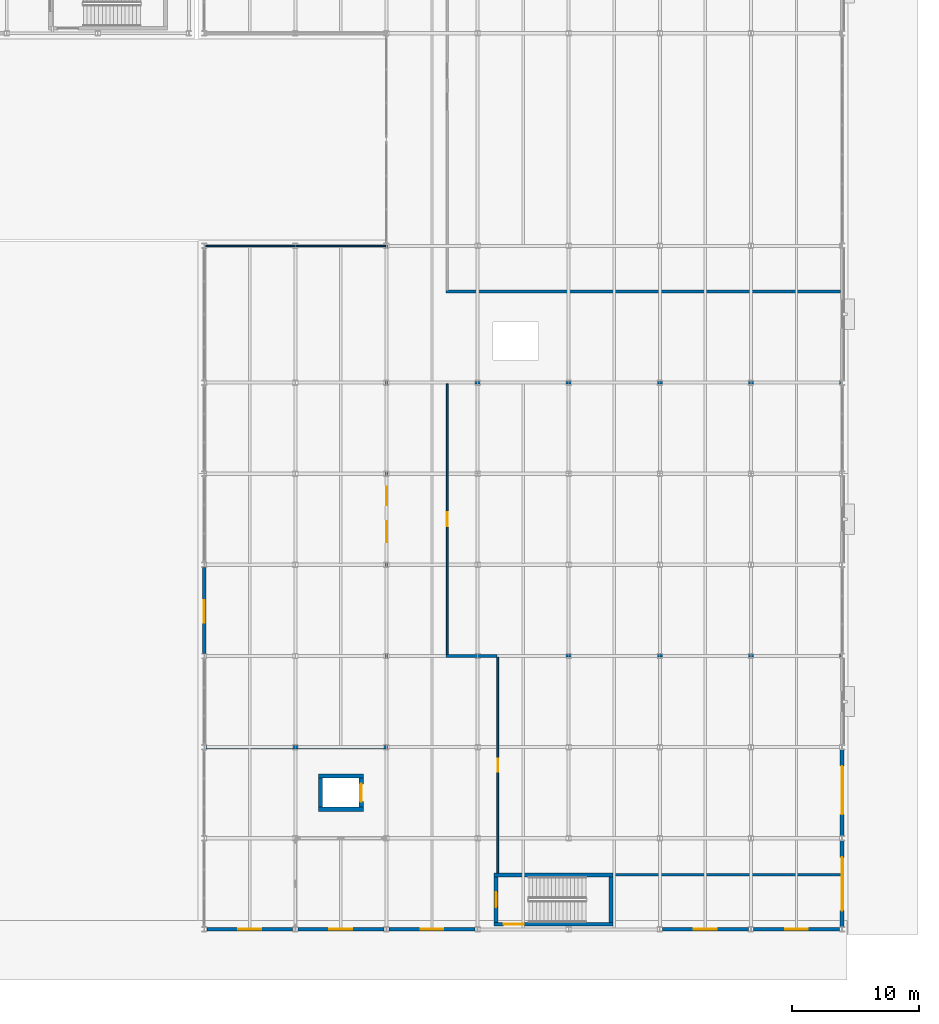
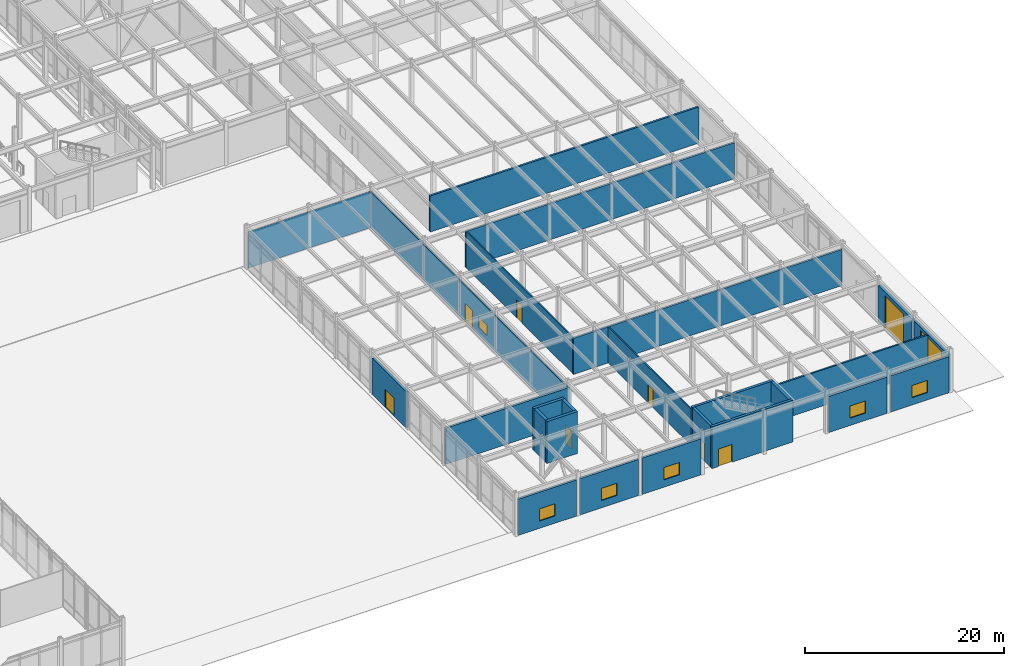
# One storey, part 76 of 104: 26 walls, 9 doors, 6 windows, 15 openings.
"""IFC4 building model written with IfcOpenShell, lengths in metres."""

from ifc_helpers import new_model, si_unit, direction, frame, frame_2d, origin, place, context, subcontext, project, spatial, rectangle, extrude, material, layer, layer_set, type_object, element, fill, save


model = new_model("IFC4")

# Units and contexts
model_context = context("Model", 3, precision=1e-05, world=origin(), true_north=direction((0.0, 1.0)))
body_context = subcontext(model_context, "Body", "Model", "MODEL_VIEW")
ifc_project = project(units=[si_unit("LENGTHUNIT", "METRE"), si_unit("AREAUNIT", "SQUARE_METRE"), si_unit("VOLUMEUNIT", "CUBIC_METRE"), si_unit("PLANEANGLEUNIT", "RADIAN"), si_unit("MASSUNIT", "GRAM", prefix="KILO")], contexts=[model_context])

# Site, building, storey
site_placement = place(None, origin())
site = spatial("IfcSite", under=ifc_project, at=site_placement, CompositionType="ELEMENT")
building_placement = place(site_placement, origin())
building = spatial("IfcBuilding", under=site, at=building_placement, Name="Vaelcorin Mobility Hub", CompositionType="ELEMENT")
storey_placement = place(building_placement, origin())
storey = spatial("IfcBuildingStorey", under=building, at=storey_placement, Name="L00", CompositionType="ELEMENT", Elevation=0.0)

# Wall, opening, door
ifc_material_1 = material(Name="Reinforced concrete f'c 45 MPa", Category="concrete")
ifc_layer_1 = layer(ifc_material_1, 0.300048828125)
ifc_layer_set_1 = layer_set([ifc_layer_1], Name="Reinforced concrete f'c 45 MPa")
wall_type_1 = type_object("IfcWallType", Name="WL-CORE-300", PredefinedType="SOLIDWALL", material=ifc_layer_set_1)
wall_1_placement = place(storey_placement, frame((185.89990234375, 6.39990234375, 0.0), z_axis=(0.0, 0.0, 1.0), x_axis=(-1.0, 0.0, 0.0)))
wall_1 = element("IfcWall", 1, at=wall_1_placement, inside=storey, type_object=wall_type_1, Name="ST5 Fire Core Wall L00 South", PredefinedType="SOLIDWALL", context=body_context, shape_type="SweptSolid", body=[
    extrude(rectangle(XDim=9.39990234375, YDim=0.300048828125, at=frame_2d((4.699951171875, 0.0))), origin(), (0.0, 0.0, 1.0), 5.139892578125),
])
opening_1_placement = place(wall_1_placement, frame((7.050048828125, 0.0, 0.0)))
opening_1 = element("IfcOpeningElement", 2, at=opening_1_placement, cuts=wall_1, Name="Opening SD03", PredefinedType="OPENING", context=body_context, shape_type="SweptSolid", body=[
    extrude(rectangle(XDim=1.60009765625, YDim=2.14990234375, at=frame_2d((0.800048828125, 1.074951171875))), frame((0.0, 0.159912109375, 0.0), z_axis=(0.0, -1.0, 0.0), x_axis=(1.0, 0.0, 0.0)), (0.0, 0.0, 1.0), 0.320068359375),
])
ifc_material_2 = material(Name="Hollow-metal insulated steel fire door", Category="steel")
door_type_1 = type_object("IfcDoorType", Name="DR-STAIR-EXIT", OperationType="NOTDEFINED", PredefinedType="DOOR", material=ifc_material_2)
door_1_placement = place(opening_1_placement, origin())
door_1 = element("IfcDoor", 3, at=door_1_placement, inside=storey, type_object=door_type_1, Name="ST5 Final Exit Discharge Door L00", OperationType="SINGLE_SWING_RIGHT", OverallHeight=2.14990234375, OverallWidth=1.60009765625, PredefinedType="DOOR", context=body_context, shape_type="SweptSolid", body=[
    extrude(rectangle(XDim=1.60009765625, YDim=2.14990234375, at=frame_2d((0.800048828125, 1.074951171875))), frame((0.0, 0.02490234375, 0.0), z_axis=(0.0, -1.0, 0.0), x_axis=(1.0, 0.0, 0.0)), (0.0, 0.0, 1.0), 0.050048828125),
])
fill(opening_1, door_1)

# Wall
wall_2_placement = place(storey_placement, frame((176.5, 10.300048828125, 0.0), z_axis=(0.0, 0.0, 1.0), x_axis=(1.0, 0.0, 0.0)))
element("IfcWall", 4, at=wall_2_placement, inside=storey, type_object=wall_type_1, Name="ST5 Fire Core Wall L00 North", PredefinedType="SOLIDWALL", context=body_context, shape_type="SweptSolid", body=[
    extrude(rectangle(XDim=9.39990234375, YDim=0.300048828125, at=frame_2d((4.699951171875, 0.0))), origin(), (0.0, 0.0, 1.0), 5.139892578125),
])

# Wall, opening, door
wall_3_placement = place(storey_placement, frame((176.64990234375, 6.550048828125, 0.0), z_axis=(0.0, 0.0, 1.0), x_axis=(0.0, 1.0, 0.0)))
wall_3 = element("IfcWall", 5, at=wall_3_placement, inside=storey, type_object=wall_type_1, Name="ST5 Fire Core Wall L00 West", PredefinedType="SOLIDWALL", context=body_context, shape_type="SweptSolid", body=[
    extrude(rectangle(XDim=3.599853515625, YDim=0.300048828125, at=frame_2d((1.7998046875, 0.0))), origin(), (0.0, 0.0, 1.0), 5.139892578125),
])
opening_2_placement = place(wall_3_placement, frame((1.199951171875, 0.0, 0.0)))
opening_2 = element("IfcOpeningElement", 6, at=opening_2_placement, cuts=wall_3, Name="Opening SD01", PredefinedType="OPENING", context=body_context, shape_type="SweptSolid", body=[
    extrude(rectangle(XDim=1.199951171875, YDim=2.199951171875, at=frame_2d((0.60009765625, 1.10009765625))), frame((0.0, 0.159912109375, 0.0), z_axis=(0.0, -1.0, 0.0), x_axis=(1.0, 0.0, 0.0)), (0.0, 0.0, 1.0), 0.320068359375),
])
door_type_2 = type_object("IfcDoorType", Name="DR-STAIR-90", OperationType="NOTDEFINED", PredefinedType="DOOR", material=ifc_material_2)
door_2_placement = place(opening_2_placement, origin())
door_2 = element("IfcDoor", 7, at=door_2_placement, inside=storey, type_object=door_type_2, Name="ST5 Protected Stair Door L00", OperationType="SINGLE_SWING_LEFT", OverallHeight=2.199951171875, OverallWidth=1.199951171875, PredefinedType="DOOR", context=body_context, shape_type="SweptSolid", body=[
    extrude(rectangle(XDim=1.199951171875, YDim=2.199951171875, at=frame_2d((0.60009765625, 1.10009765625))), frame((0.0, 0.02490234375, 0.0), z_axis=(0.0, -1.0, 0.0), x_axis=(1.0, 0.0, 0.0)), (0.0, 0.0, 1.0), 0.050048828125),
])
fill(opening_2, door_2)

# Wall
wall_4_placement = place(storey_placement, frame((185.75, 10.14990234375, 0.0), z_axis=(0.0, 0.0, 1.0), x_axis=(0.0, -1.0, 0.0)))
element("IfcWall", 8, at=wall_4_placement, inside=storey, type_object=wall_type_1, Name="ST5 Fire Core Wall L00 East", PredefinedType="SOLIDWALL", context=body_context, shape_type="SweptSolid", body=[
    extrude(rectangle(XDim=3.599853515625, YDim=0.300048828125, at=frame_2d((1.7998046875, 0.0))), origin(), (0.0, 0.0, 1.0), 5.139892578125),
])

# Wall, opening, door
ifc_material_3 = material(Name="Insulated exterior precast concrete C40/50", Category="concrete")
ifc_layer_2 = layer(ifc_material_3, 0.260009765625)
ifc_layer_set_2 = layer_set([ifc_layer_2], Name="Insulated exterior precast concrete C40/50")
wall_type_2 = type_object("IfcWallType", Name="WL-EXT-260", PredefinedType="STANDARD", material=ifc_layer_set_2)
wall_5_placement = place(storey_placement, frame((153.60009765625, 27.7919921875, 0.0), z_axis=(0.0, 0.0, 1.0), x_axis=(0.0, 1.0, 0.0)))
wall_5 = element("IfcWall", 9, at=wall_5_placement, inside=storey, type_object=wall_type_2, Name="L00 Exterior Wall V5-EW-L00-WS-ENTRY", PredefinedType="STANDARD", context=body_context, shape_type="SweptSolid", body=[
    extrude(rectangle(XDim=6.81591796875, YDim=0.260009765625, at=frame_2d((3.407958984375, 0.0))), origin(), (0.0, 0.0, 1.0), 4.44189453125),
])
opening_3_placement = place(wall_5_placement, frame((2.41796875, 0.0, 0.0)))
opening_3 = element("IfcOpeningElement", 10, at=opening_3_placement, cuts=wall_5, Name="Opening ED02", PredefinedType="OPENING", context=body_context, shape_type="SweptSolid", body=[
    extrude(rectangle(XDim=1.800048828125, YDim=2.199951171875, at=frame_2d((0.89990234375, 1.10009765625))), frame((0.0, 0.139892578125, 0.0), z_axis=(0.0, -1.0, 0.0), x_axis=(1.0, 0.0, 0.0)), (0.0, 0.0, 1.0), 0.280029296875),
])
ifc_material_4 = material(Name="Anodised aluminium 6063-T6", Category="aluminium")
door_type_3 = type_object("IfcDoorType", Name="DR-EXT-1800X2200", OperationType="NOTDEFINED", PredefinedType="DOOR", material=ifc_material_4)
door_3_placement = place(opening_3_placement, origin())
door_3 = element("IfcDoor", 11, at=door_3_placement, inside=storey, type_object=door_type_3, Name="L00 Exterior Door DR-V5-SHAR-ENT", OperationType="SINGLE_SWING_RIGHT", OverallHeight=2.199951171875, OverallWidth=1.800048828125, PredefinedType="DOOR", context=body_context, shape_type="SweptSolid", body=[
    extrude(rectangle(XDim=1.800048828125, YDim=2.199951171875, at=frame_2d((0.89990234375, 1.10009765625))), frame((0.0, 0.02490234375, 0.0), z_axis=(0.0, -1.0, 0.0), x_axis=(1.0, 0.0, 0.0)), (0.0, 0.0, 1.0), 0.050048828125),
])
fill(opening_3, door_3)

# Wall, opening, window
wall_6_placement = place(storey_placement, frame((160.594970703125, 6.0, 0.0), z_axis=(0.0, 0.0, 1.0), x_axis=(-1.0, 0.0, 0.0)))
wall_6 = element("IfcWall", 12, at=wall_6_placement, inside=storey, type_object=wall_type_2, Name="L00 Exterior Wall V5-EW-L00-S-01", PredefinedType="STANDARD", context=body_context, shape_type="SweptSolid", body=[
    extrude(rectangle(XDim=6.7900390625, YDim=0.260009765625, at=frame_2d((3.39501953125, 0.0))), origin(), (0.0, 0.0, 1.0), 4.44189453125),
])
opening_4_placement = place(wall_6_placement, frame((2.4951171875, 0.0, 0.89990234375)))
opening_4 = element("IfcOpeningElement", 13, at=opening_4_placement, cuts=wall_6, Name="Opening WN12", PredefinedType="OPENING", context=body_context, shape_type="SweptSolid", body=[
    extrude(rectangle(XDim=1.800048828125, YDim=1.5, at=frame_2d((0.89990234375, 0.75))), frame((0.0, 0.139892578125, 0.0), z_axis=(0.0, -1.0, 0.0), x_axis=(1.0, 0.0, 0.0)), (0.0, 0.0, 1.0), 0.280029296875),
])
ifc_material_5 = material(Name="Double-glazed low-E window unit", Category="glass")
window_type_1 = type_object("IfcWindowType", Name="WIN-1800X1500", PartitioningType="SINGLE_PANEL", PredefinedType="WINDOW", material=ifc_material_5)
window_1_placement = place(opening_4_placement, origin())
window_1 = element("IfcWindow", 14, at=window_1_placement, inside=storey, type_object=window_type_1, Name="L00 Window V5-EW-L00-S-01-WN", OverallHeight=1.5, OverallWidth=1.800048828125, PartitioningType="SINGLE_PANEL", PredefinedType="WINDOW", context=body_context, shape_type="SweptSolid", body=[
    extrude(rectangle(XDim=1.800048828125, YDim=1.5, at=frame_2d((0.89990234375, 0.75))), frame((0.0, 0.030029296875, 0.0), z_axis=(0.0, -1.0, 0.0), x_axis=(1.0, 0.0, 0.0)), (0.0, 0.0, 1.0), 0.06005859375),
])
fill(opening_4, window_1)

wall_7_placement = place(storey_placement, frame((167.794921875, 6.0, 0.0), z_axis=(0.0, 0.0, 1.0), x_axis=(-1.0, 0.0, 0.0)))
wall_7 = element("IfcWall", 15, at=wall_7_placement, inside=storey, type_object=wall_type_2, Name="L00 Exterior Wall V5-EW-L00-S-02", PredefinedType="STANDARD", context=body_context, shape_type="SweptSolid", body=[
    extrude(rectangle(XDim=6.7900390625, YDim=0.260009765625, at=frame_2d((3.39501953125, 0.0))), origin(), (0.0, 0.0, 1.0), 4.44189453125),
])
opening_5_placement = place(wall_7_placement, frame((2.4951171875, 0.0, 0.89990234375)))
opening_5 = element("IfcOpeningElement", 16, at=opening_5_placement, cuts=wall_7, Name="Opening WN12", PredefinedType="OPENING", context=body_context, shape_type="SweptSolid", body=[
    extrude(rectangle(XDim=1.800048828125, YDim=1.5, at=frame_2d((0.89990234375, 0.75))), frame((0.0, 0.139892578125, 0.0), z_axis=(0.0, -1.0, 0.0), x_axis=(1.0, 0.0, 0.0)), (0.0, 0.0, 1.0), 0.280029296875),
])
window_2_placement = place(opening_5_placement, origin())
window_2 = element("IfcWindow", 17, at=window_2_placement, inside=storey, type_object=window_type_1, Name="L00 Window V5-EW-L00-S-02-WN", OverallHeight=1.5, OverallWidth=1.800048828125, PartitioningType="SINGLE_PANEL", PredefinedType="WINDOW", context=body_context, shape_type="SweptSolid", body=[
    extrude(rectangle(XDim=1.800048828125, YDim=1.5, at=frame_2d((0.89990234375, 0.75))), frame((0.0, 0.030029296875, 0.0), z_axis=(0.0, -1.0, 0.0), x_axis=(1.0, 0.0, 0.0)), (0.0, 0.0, 1.0), 0.06005859375),
])
fill(opening_5, window_2)

wall_8_placement = place(storey_placement, frame((174.9951171875, 6.0, 0.0), z_axis=(0.0, 0.0, 1.0), x_axis=(-1.0, 0.0, 0.0)))
wall_8 = element("IfcWall", 18, at=wall_8_placement, inside=storey, type_object=wall_type_2, Name="L00 Exterior Wall V5-EW-L00-S-03", PredefinedType="STANDARD", context=body_context, shape_type="SweptSolid", body=[
    extrude(rectangle(XDim=6.7900390625, YDim=0.260009765625, at=frame_2d((3.39501953125, 0.0))), origin(), (0.0, 0.0, 1.0), 4.44189453125),
])
opening_6_placement = place(wall_8_placement, frame((2.4951171875, 0.0, 0.89990234375)))
opening_6 = element("IfcOpeningElement", 19, at=opening_6_placement, cuts=wall_8, Name="Opening WN12", PredefinedType="OPENING", context=body_context, shape_type="SweptSolid", body=[
    extrude(rectangle(XDim=1.800048828125, YDim=1.5, at=frame_2d((0.89990234375, 0.75))), frame((0.0, 0.139892578125, 0.0), z_axis=(0.0, -1.0, 0.0), x_axis=(1.0, 0.0, 0.0)), (0.0, 0.0, 1.0), 0.280029296875),
])
window_3_placement = place(opening_6_placement, origin())
window_3 = element("IfcWindow", 20, at=window_3_placement, inside=storey, type_object=window_type_1, Name="L00 Window V5-EW-L00-S-03-WN", OverallHeight=1.5, OverallWidth=1.800048828125, PartitioningType="SINGLE_PANEL", PredefinedType="WINDOW", context=body_context, shape_type="SweptSolid", body=[
    extrude(rectangle(XDim=1.800048828125, YDim=1.5, at=frame_2d((0.89990234375, 0.75))), frame((0.0, 0.030029296875, 0.0), z_axis=(0.0, -1.0, 0.0), x_axis=(1.0, 0.0, 0.0)), (0.0, 0.0, 1.0), 0.06005859375),
])
fill(opening_6, window_3)

wall_9_placement = place(storey_placement, frame((196.594970703125, 6.0, 0.0), z_axis=(0.0, 0.0, 1.0), x_axis=(-1.0, 0.0, 0.0)))
wall_9 = element("IfcWall", 21, at=wall_9_placement, inside=storey, type_object=wall_type_2, Name="L00 Exterior Wall V5-EW-L00-S-06", PredefinedType="STANDARD", context=body_context, shape_type="SweptSolid", body=[
    extrude(rectangle(XDim=6.7900390625, YDim=0.260009765625, at=frame_2d((3.39501953125, 0.0))), origin(), (0.0, 0.0, 1.0), 4.44189453125),
])
opening_7_placement = place(wall_9_placement, frame((2.4951171875, 0.0, 0.89990234375)))
opening_7 = element("IfcOpeningElement", 22, at=opening_7_placement, cuts=wall_9, Name="Opening WN12", PredefinedType="OPENING", context=body_context, shape_type="SweptSolid", body=[
    extrude(rectangle(XDim=1.800048828125, YDim=1.5, at=frame_2d((0.89990234375, 0.75))), frame((0.0, 0.139892578125, 0.0), z_axis=(0.0, -1.0, 0.0), x_axis=(1.0, 0.0, 0.0)), (0.0, 0.0, 1.0), 0.280029296875),
])
window_4_placement = place(opening_7_placement, origin())
window_4 = element("IfcWindow", 23, at=window_4_placement, inside=storey, type_object=window_type_1, Name="L00 Window V5-EW-L00-S-06-WN", OverallHeight=1.5, OverallWidth=1.800048828125, PartitioningType="SINGLE_PANEL", PredefinedType="WINDOW", context=body_context, shape_type="SweptSolid", body=[
    extrude(rectangle(XDim=1.800048828125, YDim=1.5, at=frame_2d((0.89990234375, 0.75))), frame((0.0, 0.030029296875, 0.0), z_axis=(0.0, -1.0, 0.0), x_axis=(1.0, 0.0, 0.0)), (0.0, 0.0, 1.0), 0.06005859375),
])
fill(opening_7, window_4)

wall_10_placement = place(storey_placement, frame((203.794921875, 6.0, 0.0), z_axis=(0.0, 0.0, 1.0), x_axis=(-1.0, 0.0, 0.0)))
wall_10 = element("IfcWall", 24, at=wall_10_placement, inside=storey, type_object=wall_type_2, Name="L00 Exterior Wall V5-EW-L00-S-07", PredefinedType="STANDARD", context=body_context, shape_type="SweptSolid", body=[
    extrude(rectangle(XDim=6.7900390625, YDim=0.260009765625, at=frame_2d((3.39501953125, 0.0))), origin(), (0.0, 0.0, 1.0), 4.44189453125),
])
opening_8_placement = place(wall_10_placement, frame((2.4951171875, 0.0, 0.89990234375)))
opening_8 = element("IfcOpeningElement", 25, at=opening_8_placement, cuts=wall_10, Name="Opening WN12", PredefinedType="OPENING", context=body_context, shape_type="SweptSolid", body=[
    extrude(rectangle(XDim=1.800048828125, YDim=1.5, at=frame_2d((0.89990234375, 0.75))), frame((0.0, 0.139892578125, 0.0), z_axis=(0.0, -1.0, 0.0), x_axis=(1.0, 0.0, 0.0)), (0.0, 0.0, 1.0), 0.280029296875),
])
window_5_placement = place(opening_8_placement, origin())
window_5 = element("IfcWindow", 26, at=window_5_placement, inside=storey, type_object=window_type_1, Name="L00 Window V5-EW-L00-S-07-WN", OverallHeight=1.5, OverallWidth=1.800048828125, PartitioningType="SINGLE_PANEL", PredefinedType="WINDOW", context=body_context, shape_type="SweptSolid", body=[
    extrude(rectangle(XDim=1.800048828125, YDim=1.5, at=frame_2d((0.89990234375, 0.75))), frame((0.0, 0.030029296875, 0.0), z_axis=(0.0, -1.0, 0.0), x_axis=(1.0, 0.0, 0.0)), (0.0, 0.0, 1.0), 0.06005859375),
])
fill(opening_8, window_5)

# Wall, opening, door
ifc_layer_3 = layer(ifc_material_3, 0.300048828125)
ifc_layer_set_3 = layer_set([ifc_layer_3], Name="Insulated exterior precast concrete C40/50")
wall_type_3 = type_object("IfcWallType", Name="WL-EXT-300", PredefinedType="STANDARD", material=ifc_layer_set_3)
wall_11_placement = place(storey_placement, frame((204.0, 13.008056640625, 0.0), z_axis=(0.0, 0.0, 1.0), x_axis=(0.0, -1.0, 0.0)))
wall_11 = element("IfcWall", 27, at=wall_11_placement, inside=storey, type_object=wall_type_3, Name="L00 Exterior Wall V5-EW-DOCK-1", PredefinedType="STANDARD", context=body_context, shape_type="SweptSolid", body=[
    extrude(rectangle(XDim=6.816162109375, YDim=0.300048828125, at=frame_2d((3.408203125, 0.0))), origin(), (0.0, 0.0, 1.0), 4.44189453125),
])
opening_9_placement = place(wall_11_placement, frame((1.318115234375, 0.0, 0.0)))
opening_9 = element("IfcOpeningElement", 28, at=opening_9_placement, cuts=wall_11, Name="Opening DG1", PredefinedType="OPENING", context=body_context, shape_type="SweptSolid", body=[
    extrude(rectangle(XDim=4.199951171875, YDim=4.10009765625, at=frame_2d((2.10009765625, 2.050048828125))), frame((0.0, 0.159912109375, 0.0), z_axis=(0.0, -1.0, 0.0), x_axis=(1.0, 0.0, 0.0)), (0.0, 0.0, 1.0), 0.320068359375),
])
door_type_4 = type_object("IfcDoorType", Name="DR-GATE-DOCK1", OperationType="NOTDEFINED", PredefinedType="GATE", material=ifc_material_4)
door_4_placement = place(opening_9_placement, origin())
door_4 = element("IfcDoor", 29, at=door_4_placement, inside=storey, type_object=door_type_4, Name="L00 Exterior Door DR-DOCK-1", OperationType="ROLLINGUP", OverallHeight=4.10009765625, OverallWidth=4.199951171875, PredefinedType="GATE", context=body_context, shape_type="SweptSolid", body=[
    extrude(rectangle(XDim=4.199951171875, YDim=4.10009765625, at=frame_2d((2.10009765625, 2.050048828125))), frame((0.0, 0.02490234375, 0.0), z_axis=(0.0, -1.0, 0.0), x_axis=(1.0, 0.0, 0.0)), (0.0, 0.0, 1.0), 0.050048828125),
])
fill(opening_9, door_4)

wall_12_placement = place(storey_placement, frame((204.0, 20.2080078125, 0.0), z_axis=(0.0, 0.0, 1.0), x_axis=(0.0, -1.0, 0.0)))
wall_12 = element("IfcWall", 30, at=wall_12_placement, inside=storey, type_object=wall_type_3, Name="L00 Exterior Wall V5-EW-DOCK-2", PredefinedType="STANDARD", context=body_context, shape_type="SweptSolid", body=[
    extrude(rectangle(XDim=6.81591796875, YDim=0.300048828125, at=frame_2d((3.407958984375, 0.0))), origin(), (0.0, 0.0, 1.0), 4.44189453125),
])
opening_10_placement = place(wall_12_placement, frame((1.318115234375, 0.0, 0.0)))
opening_10 = element("IfcOpeningElement", 31, at=opening_10_placement, cuts=wall_12, Name="Opening DG2", PredefinedType="OPENING", context=body_context, shape_type="SweptSolid", body=[
    extrude(rectangle(XDim=3.800048828125, YDim=4.0, at=frame_2d((1.89990234375, 2.0))), frame((0.0, 0.159912109375, 0.0), z_axis=(0.0, -1.0, 0.0), x_axis=(1.0, 0.0, 0.0)), (0.0, 0.0, 1.0), 0.320068359375),
])
door_type_5 = type_object("IfcDoorType", Name="DR-GATE-DOCK2", OperationType="NOTDEFINED", PredefinedType="GATE", material=ifc_material_4)
door_5_placement = place(opening_10_placement, origin())
door_5 = element("IfcDoor", 32, at=door_5_placement, inside=storey, type_object=door_type_5, Name="L00 Exterior Door DR-DOCK-2", OperationType="ROLLINGUP", OverallHeight=4.0, OverallWidth=3.800048828125, PredefinedType="GATE", context=body_context, shape_type="SweptSolid", body=[
    extrude(rectangle(XDim=3.800048828125, YDim=4.0, at=frame_2d((1.89990234375, 2.0))), frame((0.0, 0.02490234375, 0.0), z_axis=(0.0, -1.0, 0.0), x_axis=(1.0, 0.0, 0.0)), (0.0, 0.0, 1.0), 0.050048828125),
])
fill(opening_10, door_5)

ifc_material_6 = material(Name="Fire-rated acoustic steel-stud gypsum board", Category="steel")
ifc_layer_4 = layer(ifc_material_6, 0.135009765625)
ifc_layer_set_4 = layer_set([ifc_layer_4], Name="Fire-rated acoustic steel-stud gypsum board")
wall_type_4 = type_object("IfcWallType", Name="WL-PART-135", PredefinedType="PARTITIONING", material=ifc_layer_set_4)
wall_13_placement = place(storey_placement, frame((176.800048828125, 10.451904296875, 0.0), z_axis=(0.0, 0.0, 1.0), x_axis=(0.0, 1.0, 0.0)))
wall_13 = element("IfcWall", 33, at=wall_13_placement, inside=storey, type_object=wall_type_4, Name="Service and Freight Loading Dock Partition West", PredefinedType="PARTITIONING", context=body_context, shape_type="SweptSolid", body=[
    extrude(rectangle(XDim=17.044189453125, YDim=0.135009765625, at=frame_2d((8.52197265625, 0.0))), origin(), (0.0, 0.0, 1.0), 4.43701171875),
])
opening_11_placement = place(wall_13_placement, frame((7.9970703125, 0.0, 0.0)))
opening_11 = element("IfcOpeningElement", 34, at=opening_11_placement, cuts=wall_13, Name="Opening ID26", PredefinedType="OPENING", context=body_context, shape_type="SweptSolid", body=[
    extrude(rectangle(XDim=1.050048828125, YDim=2.219970703125, at=frame_2d((0.52490234375, 1.10986328125))), frame((0.0, 0.077392578125, 0.0), z_axis=(0.0, -1.0, 0.0), x_axis=(1.0, 0.0, 0.0)), (0.0, 0.0, 1.0), 0.155029296875),
])
ifc_material_7 = material(Name="Solid-core hardwood fire door assembly", Category="wood")
door_type_6 = type_object("IfcDoorType", Name="DR-INT-26", OperationType="NOTDEFINED", PredefinedType="DOOR", material=ifc_material_7)
door_6_placement = place(opening_11_placement, origin())
door_6 = element("IfcDoor", 35, at=door_6_placement, inside=storey, type_object=door_type_6, Name="Service and Freight Loading Dock Door", OperationType="SINGLE_SWING_RIGHT", OverallHeight=2.219970703125, OverallWidth=1.050048828125, PredefinedType="DOOR", context=body_context, shape_type="SweptSolid", body=[
    extrude(rectangle(XDim=1.050048828125, YDim=2.219970703125, at=frame_2d((0.52490234375, 1.10986328125))), frame((0.0, 0.02490234375, 0.0), z_axis=(0.0, -1.0, 0.0), x_axis=(1.0, 0.0, 0.0)), (0.0, 0.0, 1.0), 0.050048828125),
])
fill(opening_11, door_6)

ifc_layer_5 = layer(ifc_material_6, 0.139892578125)
ifc_layer_set_5 = layer_set([ifc_layer_5], Name="Fire-rated acoustic steel-stud gypsum board")
wall_type_5 = type_object("IfcWallType", Name="WL-PART-140", PredefinedType="PARTITIONING", material=ifc_layer_set_5)
wall_14_placement = place(storey_placement, frame((172.800048828125, 27.705078125, 0.0), z_axis=(0.0, 0.0, 1.0), x_axis=(0.0, 1.0, 0.0)))
wall_14 = element("IfcWall", 36, at=wall_14_placement, inside=storey, type_object=wall_type_5, Name="Fleet Maintenance Workshop Partition West", PredefinedType="PARTITIONING", context=body_context, shape_type="SweptSolid", body=[
    extrude(rectangle(XDim=21.386962890625, YDim=0.139892578125, at=frame_2d((10.693359375, 0.0))), origin(), (0.0, 0.0, 1.0), 4.43701171875),
])
opening_12_placement = place(wall_14_placement, frame((10.134033203125, 0.0, 0.0)))
opening_12 = element("IfcOpeningElement", 37, at=opening_12_placement, cuts=wall_14, Name="Opening ID27", PredefinedType="OPENING", context=body_context, shape_type="SweptSolid", body=[
    extrude(rectangle(XDim=1.1201171875, YDim=2.219970703125, at=frame_2d((0.56005859375, 1.10986328125))), frame((0.0, 0.079833984375, 0.0), z_axis=(0.0, -1.0, 0.0), x_axis=(1.0, 0.0, 0.0)), (0.0, 0.0, 1.0), 0.159912109375),
])
door_type_7 = type_object("IfcDoorType", Name="DR-INT-27", OperationType="NOTDEFINED", PredefinedType="DOOR", material=ifc_material_7)
door_7_placement = place(opening_12_placement, origin())
door_7 = element("IfcDoor", 38, at=door_7_placement, inside=storey, type_object=door_type_7, Name="Fleet Maintenance Workshop Door", OperationType="SINGLE_SWING_LEFT", OverallHeight=2.219970703125, OverallWidth=1.1201171875, PredefinedType="DOOR", context=body_context, shape_type="SweptSolid", body=[
    extrude(rectangle(XDim=1.1201171875, YDim=2.219970703125, at=frame_2d((0.56005859375, 1.10986328125))), frame((0.0, 0.02490234375, 0.0), z_axis=(0.0, -1.0, 0.0), x_axis=(1.0, 0.0, 0.0)), (0.0, 0.0, 1.0), 0.050048828125),
])
fill(opening_12, door_7)

# Wall, openings, door, window
ifc_layer_6 = layer(ifc_material_6, 0.155029296875)
ifc_layer_set_6 = layer_set([ifc_layer_6], Name="Fire-rated acoustic steel-stud gypsum board")
wall_type_6 = type_object("IfcWallType", Name="WL-PART-155", PredefinedType="PARTITIONING", material=ifc_layer_set_6)
wall_15_placement = place(storey_placement, frame((168.0, 59.949951171875, 0.0), z_axis=(0.0, 0.0, 1.0), x_axis=(0.0, -1.0, 0.0)))
wall_15 = element("IfcWall", 39, at=wall_15_placement, inside=storey, type_object=wall_type_6, Name="Shared-Mobility Scooter Station Partition East", PredefinedType="PARTITIONING", context=body_context, shape_type="SweptSolid", body=[
    extrude(rectangle(XDim=39.412841796875, YDim=0.155029296875, at=frame_2d((19.70654296875, 0.0))), origin(), (0.0, 0.0, 1.0), 4.43701171875),
])
opening_13_placement = place(wall_15_placement, frame((18.967041015625, 0.0, 0.0)))
opening_13 = element("IfcOpeningElement", 40, at=opening_13_placement, cuts=wall_15, Name="Opening ID30", PredefinedType="OPENING", context=body_context, shape_type="SweptSolid", body=[
    extrude(rectangle(XDim=1.47998046875, YDim=2.219970703125, at=frame_2d((0.739990234375, 1.10986328125))), frame((0.0, 0.08740234375, 0.0), z_axis=(0.0, -1.0, 0.0), x_axis=(1.0, 0.0, 0.0)), (0.0, 0.0, 1.0), 0.175048828125),
])
opening_14_placement = place(wall_15_placement, frame((21.697021484375, 0.0, 0.949951171875)))
opening_14 = element("IfcOpeningElement", 41, at=opening_14_placement, cuts=wall_15, Name="Opening IW-WN11", PredefinedType="OPENING", context=body_context, shape_type="SweptSolid", body=[
    extrude(rectangle(XDim=1.64990234375, YDim=1.300048828125, at=frame_2d((0.824951171875, 0.64990234375))), frame((0.0, 0.08740234375, 0.0), z_axis=(0.0, -1.0, 0.0), x_axis=(1.0, 0.0, 0.0)), (0.0, 0.0, 1.0), 0.175048828125),
])
door_type_8 = type_object("IfcDoorType", Name="DR-INT-30", OperationType="NOTDEFINED", PredefinedType="DOOR", material=ifc_material_2)
door_8_placement = place(opening_13_placement, origin())
door_8 = element("IfcDoor", 42, at=door_8_placement, inside=storey, type_object=door_type_8, Name="Shared-Mobility Scooter Station Door", OperationType="SINGLE_SWING_RIGHT", OverallHeight=2.219970703125, OverallWidth=1.47998046875, PredefinedType="DOOR", context=body_context, shape_type="SweptSolid", body=[
    extrude(rectangle(XDim=1.47998046875, YDim=2.219970703125, at=frame_2d((0.739990234375, 1.10986328125))), frame((0.0, 0.02490234375, 0.0), z_axis=(0.0, -1.0, 0.0), x_axis=(1.0, 0.0, 0.0)), (0.0, 0.0, 1.0), 0.050048828125),
])
fill(opening_13, door_8)
ifc_material_8 = material(Name="Acoustic laminated fire-rated interior glazing", Category="glass")
window_type_2 = type_object("IfcWindowType", Name="WIN-INT-11", PartitioningType="SINGLE_PANEL", PredefinedType="WINDOW", material=ifc_material_8)
window_6_placement = place(opening_14_placement, origin())
window_6 = element("IfcWindow", 43, at=window_6_placement, inside=storey, type_object=window_type_2, Name="Shared-Mobility Scooter Station Observation Glazing", OverallHeight=1.300048828125, OverallWidth=1.64990234375, PartitioningType="SINGLE_PANEL", PredefinedType="WINDOW", context=body_context, shape_type="SweptSolid", body=[
    extrude(rectangle(XDim=1.64990234375, YDim=1.300048828125, at=frame_2d((0.824951171875, 0.64990234375))), frame((0.0, 0.030029296875, 0.0), z_axis=(0.0, -1.0, 0.0), x_axis=(1.0, 0.0, 0.0)), (0.0, 0.0, 1.0), 0.06005859375),
])
fill(opening_14, window_6)

# Walls
ifc_layer_7 = layer(ifc_material_6, 0.19189453125)
ifc_layer_set_7 = layer_set([ifc_layer_7], Name="Fire-rated acoustic steel-stud gypsum board")
wall_type_7 = type_object("IfcWallType", Name="WL-PART-192", PredefinedType="PARTITIONING", material=ifc_layer_set_7)
wall_16_placement = place(storey_placement, frame((203.867919921875, 10.300048828125, 0.0), z_axis=(0.0, 0.0, 1.0), x_axis=(-1.0, 0.0, 0.0)))
element("IfcWall", 44, at=wall_16_placement, inside=storey, type_object=wall_type_7, Name="Service and Freight Loading Dock Partition South", PredefinedType="PARTITIONING", context=body_context, shape_type="SweptSolid", body=[
    extrude(rectangle(XDim=17.9658203125, YDim=0.19189453125, at=frame_2d((8.98291015625, 0.0))), origin(), (0.0, 0.0, 1.0), 4.43701171875),
])
ifc_material_9 = material(Name="Reinforced acoustic concrete masonry C30/37", Category="masonry")
ifc_layer_8 = layer(ifc_material_9, 0.197998046875)
ifc_layer_set_8 = layer_set([ifc_layer_8], Name="Reinforced acoustic concrete masonry C30/37")
wall_type_8 = type_object("IfcWallType", Name="WL-PART-198", PredefinedType="PARTITIONING", material=ifc_layer_set_8)
wall_17_placement = place(storey_placement, frame((176.719970703125, 27.60009765625, 0.0), z_axis=(0.0, 0.0, 1.0), x_axis=(1.0, 0.0, 0.0)))
element("IfcWall", 45, at=wall_17_placement, inside=storey, type_object=wall_type_8, Name="Service and Freight Loading Dock Partition North", PredefinedType="PARTITIONING", context=body_context, shape_type="SweptSolid", body=[
    extrude(rectangle(XDim=27.14794921875, YDim=0.197998046875, at=frame_2d((13.573974609375, 0.0))), origin(), (0.0, 0.0, 1.0), 4.43701171875),
])
ifc_layer_9 = layer(ifc_material_9, 0.205078125)
ifc_layer_set_9 = layer_set([ifc_layer_9], Name="Reinforced acoustic concrete masonry C30/37")
wall_type_9 = type_object("IfcWallType", Name="WL-PART-205", PredefinedType="PARTITIONING", material=ifc_layer_set_9)
wall_18_placement = place(storey_placement, frame((176.718017578125, 27.60009765625, 0.0), z_axis=(0.0, 0.0, 1.0), x_axis=(-1.0, 0.0, 0.0)))
element("IfcWall", 46, at=wall_18_placement, inside=storey, type_object=wall_type_9, Name="Fleet Maintenance Workshop Partition South", PredefinedType="PARTITIONING", context=body_context, shape_type="SweptSolid", body=[
    extrude(rectangle(XDim=3.998046875, YDim=0.205078125, at=frame_2d((1.9990234375, 0.0))), origin(), (0.0, 0.0, 1.0), 4.43701171875),
])
ifc_layer_10 = layer(ifc_material_9, 0.2119140625)
ifc_layer_set_10 = layer_set([ifc_layer_10], Name="Reinforced acoustic concrete masonry C30/37")
wall_type_10 = type_object("IfcWallType", Name="WL-PART-212", PredefinedType="PARTITIONING", material=ifc_layer_set_10)
wall_19_placement = place(storey_placement, frame((172.719970703125, 49.199951171875, 0.0), z_axis=(0.0, 0.0, 1.0), x_axis=(1.0, 0.0, 0.0)))
element("IfcWall", 47, at=wall_19_placement, inside=storey, type_object=wall_type_10, Name="Fleet Maintenance Workshop Partition North", PredefinedType="PARTITIONING", context=body_context, shape_type="SweptSolid", body=[
    extrude(rectangle(XDim=31.14794921875, YDim=0.2119140625, at=frame_2d((15.573974609375, 0.0))), origin(), (0.0, 0.0, 1.0), 4.43701171875),
])
ifc_layer_11 = layer(ifc_material_9, 0.22509765625)
ifc_layer_set_11 = layer_set([ifc_layer_11], Name="Reinforced acoustic concrete masonry C30/37")
wall_type_11 = type_object("IfcWallType", Name="WL-PART-225", PredefinedType="PARTITIONING", material=ifc_layer_set_11)
wall_20_placement = place(storey_placement, frame((203.867919921875, 56.39990234375, 0.0), z_axis=(0.0, 0.0, 1.0), x_axis=(-1.0, 0.0, 0.0)))
element("IfcWall", 48, at=wall_20_placement, inside=storey, type_object=wall_type_11, Name="Cycle Repair Workshop Partition South", PredefinedType="PARTITIONING", context=body_context, shape_type="SweptSolid", body=[
    extrude(rectangle(XDim=31.14794921875, YDim=0.22509765625, at=frame_2d((15.573974609375, 0.0))), origin(), (0.0, 0.0, 1.0), 4.43701171875),
])
ifc_layer_12 = layer(ifc_material_9, 0.27001953125)
ifc_layer_set_12 = layer_set([ifc_layer_12], Name="Reinforced acoustic concrete masonry C30/37")
wall_type_12 = type_object("IfcWallType", Name="WL-PART-270", PredefinedType="PARTITIONING", material=ifc_layer_set_12)
wall_21_placement = place(storey_placement, frame((168.080078125, 20.39990234375, 0.0), z_axis=(0.0, 0.0, 1.0), x_axis=(-1.0, 0.0, 0.0)))
element("IfcWall", 49, at=wall_21_placement, inside=storey, type_object=wall_type_12, Name="Shared-Mobility Scooter Station Partition South", PredefinedType="PARTITIONING", context=body_context, shape_type="SweptSolid", body=[
    extrude(rectangle(XDim=14.34814453125, YDim=0.27001953125, at=frame_2d((7.174072265625, 0.0))), origin(), (0.0, 0.0, 1.0), 4.43701171875),
])
ifc_layer_13 = layer(ifc_material_6, 0.094970703125)
ifc_layer_set_13 = layer_set([ifc_layer_13], Name="Fire-rated acoustic steel-stud gypsum board")
wall_type_13 = type_object("IfcWallType", Name="WL-PART-95", PredefinedType="PARTITIONING", material=ifc_layer_set_13)
wall_22_placement = place(storey_placement, frame((153.73193359375, 60.0, 0.0), z_axis=(0.0, 0.0, 1.0), x_axis=(1.0, 0.0, 0.0)))
element("IfcWall", 50, at=wall_22_placement, inside=storey, type_object=wall_type_13, Name="Shared-Mobility Scooter Station Partition North", PredefinedType="PARTITIONING", context=body_context, shape_type="SweptSolid", body=[
    extrude(rectangle(XDim=14.34814453125, YDim=0.094970703125, at=frame_2d((7.174072265625, 0.0))), origin(), (0.0, 0.0, 1.0), 4.43701171875),
])
ifc_layer_14 = layer(ifc_material_1, 0.324951171875)
ifc_layer_set_14 = layer_set([ifc_layer_14], Name="Reinforced concrete f'c 45 MPa")
wall_type_14 = type_object("IfcWallType", Name="WL-SHEAR-325", PredefinedType="SHEAR", material=ifc_layer_set_14)
for number, where, z_axis, x_axis, name in (
    (51, (166.175048828125, 15.488037109375, 0.0), (0.0, 0.0, 1.0), (-1.0, 0.0, 0.0), "LF5 Lift Shaft Shear Wall L00 South"),
    (52, (162.625, 18.112060546875, 0.0), (0.0, 0.0, 1.0), (1.0, 0.0, 0.0), "LF5 Lift Shaft Shear Wall L00 North"),
):
    element("IfcWall", number, at=place(storey_placement, frame(where, z_axis=z_axis, x_axis=x_axis)), inside=storey, type_object=wall_type_14, Name=name, PredefinedType="SHEAR", context=body_context, shape_type="SweptSolid", body=[
        extrude(rectangle(XDim=3.550048828125, YDim=0.324951171875, at=frame_2d((1.77490234375, 0.0))), origin(), (0.0, 0.0, 1.0), 5.139892578125),
    ])
wall_23_placement = place(storey_placement, frame((162.7880859375, 15.64990234375, 0.0), z_axis=(0.0, 0.0, 1.0), x_axis=(0.0, 1.0, 0.0)))
element("IfcWall", 53, at=wall_23_placement, inside=storey, type_object=wall_type_14, Name="LF5 Lift Shaft Shear Wall L00 West", PredefinedType="SHEAR", context=body_context, shape_type="SweptSolid", body=[
    extrude(rectangle(XDim=2.300048828125, YDim=0.324951171875, at=frame_2d((1.14990234375, 0.0))), origin(), (0.0, 0.0, 1.0), 5.139892578125),
])

# Wall, opening, door
wall_24_placement = place(storey_placement, frame((166.011962890625, 17.949951171875, 0.0), z_axis=(0.0, 0.0, 1.0), x_axis=(0.0, -1.0, 0.0)))
wall_24 = element("IfcWall", 54, at=wall_24_placement, inside=storey, type_object=wall_type_14, Name="LF5 Lift Shaft Shear Wall L00 East", PredefinedType="SHEAR", context=body_context, shape_type="SweptSolid", body=[
    extrude(rectangle(XDim=2.300048828125, YDim=0.324951171875, at=frame_2d((1.14990234375, 0.0))), origin(), (0.0, 0.0, 1.0), 5.139892578125),
])
opening_15_placement = place(wall_24_placement, frame((0.449951171875, 0.0, 0.0)))
opening_15 = element("IfcOpeningElement", 55, at=opening_15_placement, cuts=wall_24, Name="Opening LD3", PredefinedType="OPENING", context=body_context, shape_type="SweptSolid", body=[
    extrude(rectangle(XDim=1.39990234375, YDim=2.300048828125, at=frame_2d((0.699951171875, 1.14990234375))), frame((0.0, 0.17236328125, 0.0), z_axis=(0.0, -1.0, 0.0), x_axis=(1.0, 0.0, 0.0)), (0.0, 0.0, 1.0), 0.344970703125),
])
ifc_material_10 = material(Name="Brushed stainless steel 316L", Category="steel")
door_type_9 = type_object("IfcDoorType", Name="DR-LIFT-LD3", OperationType="NOTDEFINED", PredefinedType="DOOR", material=ifc_material_10)
door_9_placement = place(opening_15_placement, origin())
door_9 = element("IfcDoor", 56, at=door_9_placement, inside=storey, type_object=door_type_9, Name="LF5 Lift Landing Sliding Door L00", OperationType="DOUBLE_DOOR_SLIDING", OverallHeight=2.300048828125, OverallWidth=1.39990234375, PredefinedType="DOOR", context=body_context, shape_type="SweptSolid", body=[
    extrude(rectangle(XDim=1.39990234375, YDim=2.300048828125, at=frame_2d((0.699951171875, 1.14990234375))), frame((0.0, 0.02490234375, 0.0), z_axis=(0.0, -1.0, 0.0), x_axis=(1.0, 0.0, 0.0)), (0.0, 0.0, 1.0), 0.050048828125),
])
fill(opening_15, door_9)

save(model, "model.ifc")
